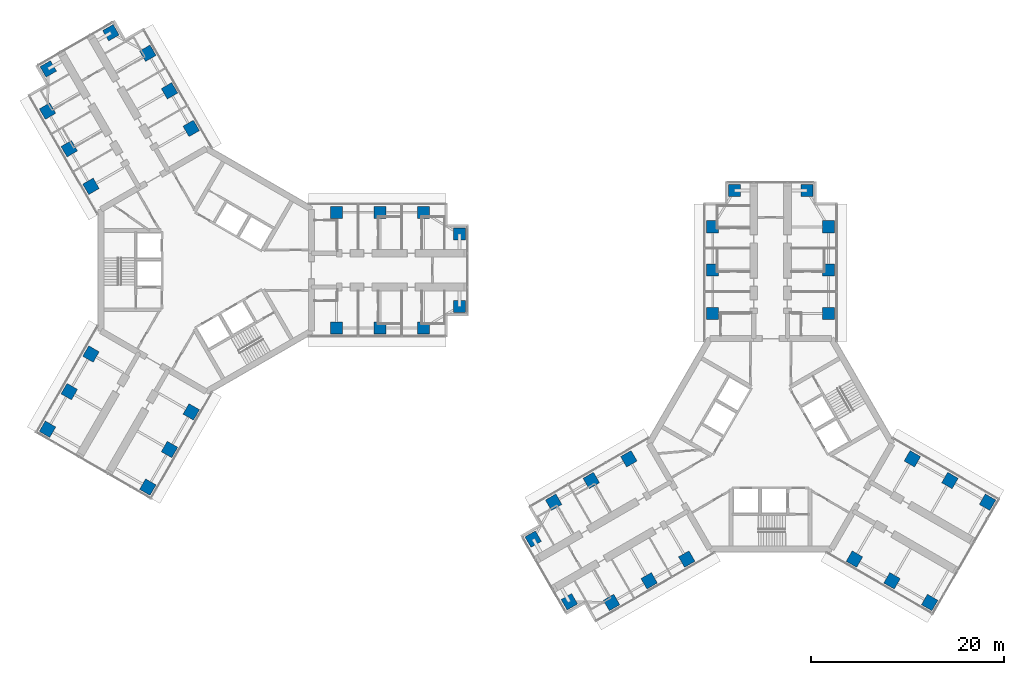
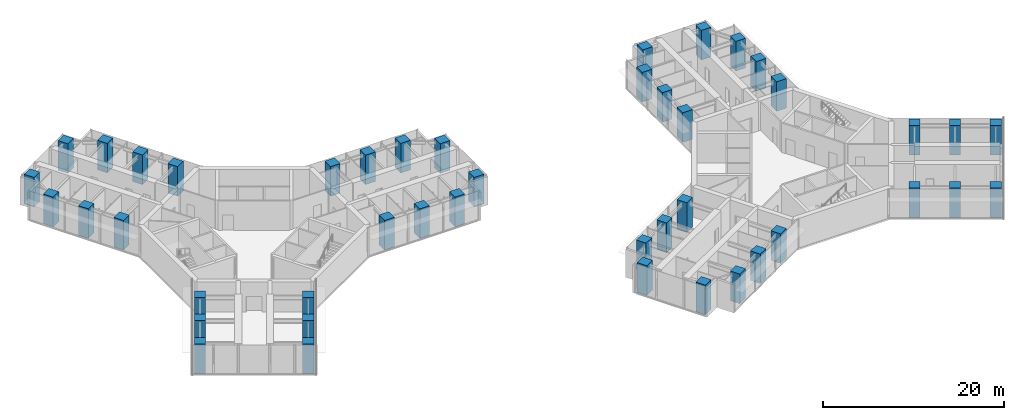
# One storey, part 1 of 23: 44 columns.
"""IFC4 building model written with IfcOpenShell, lengths in metres."""

from ifc_helpers import new_model, si_unit, direction, frame, origin, origin_2d, place, context, subcontext, project, spatial, rectangle, extrude, material, material_profile, profile_set, type_object, element, save


model = new_model("IFC4")

# Units and contexts
model_context = context("Model", 3, precision=1e-05, world=origin(), true_north=direction((0.0, 1.0)))
body_context = subcontext(model_context, "Body", "Model", "MODEL_VIEW")
ifc_project = project(units=[si_unit("LENGTHUNIT", "METRE"), si_unit("AREAUNIT", "SQUARE_METRE"), si_unit("VOLUMEUNIT", "CUBIC_METRE"), si_unit("PLANEANGLEUNIT", "RADIAN"), si_unit("MASSUNIT", "GRAM", prefix="KILO")], contexts=[model_context])

# Site, building, storey
site_placement = place(None, origin())
site = spatial("IfcSite", under=ifc_project, at=site_placement, CompositionType="ELEMENT")
building_placement = place(site_placement, origin())
building = spatial("IfcBuilding", under=site, at=building_placement, Name="Upepo Twin Towers", CompositionType="ELEMENT")
storey_placement = place(building_placement, frame((0.0, 0.0, 157.5)))
storey = spatial("IfcBuildingStorey", under=building, at=storey_placement, Name="L38", CompositionType="ELEMENT", Elevation=157.5)

# Columns
ifc_material = material(Name="Concrete C60/75", Category="concrete")
ifc_material_profile = material_profile(ifc_material, rectangle(XDim=1.25, YDim=1.25, at=origin_2d()), Name="RC 1250x1250")
ifc_profile_set = profile_set([ifc_material_profile], Name="Concrete C60/75")
column_type = type_object("IfcColumnType", Name="Tower column RC 1250x1250", PredefinedType="COLUMN", material=ifc_profile_set)
for number, where, z_axis, x_axis, name in (
    (1, (13.5, 6.0, 0.0), (0.0, 0.0, 1.0), (1.0, 0.0, 0.0), "T1 column AL135"),
    (2, (13.5, -6.0, 0.0), (0.0, 0.0, 1.0), (1.0, 0.0, 0.0), "T1 column AR135"),
    (3, (18.0, 6.0, 0.0), (0.0, 0.0, 1.0), (1.0, 0.0, 0.0), "T1 column AL180"),
    (4, (18.0, -6.0, 0.0), (0.0, 0.0, 1.0), (1.0, 0.0, 0.0), "T1 column AR180"),
    (5, (22.5, 6.0, 0.0), (0.0, 0.0, 1.0), (1.0, 0.0, 0.0), "T1 column AL225"),
    (6, (22.5, -6.0, 0.0), (0.0, 0.0, 1.0), (1.0, 0.0, 0.0), "T1 column AR225"),
    (7, (26.25, 3.75, 0.0), (0.0, 0.0, 1.0), (1.0, 0.0, 0.0), "T1 column ALN"),
    (8, (26.25, -3.75, 0.0), (0.0, 0.0, 1.0), (1.0, 0.0, 0.0), "T1 column ARN"),
    (9, (-11.946044921875, 8.69140625, 0.0), (0.0, 0.0, 1.0), (0.866025403784, 0.5, 0.0), "T1 column BL135"),
    (10, (-1.553955078125, 14.69140625, 0.0), (0.0, 0.0, 1.0), (0.866025403784, 0.5, 0.0), "T1 column BR135"),
    (11, (-14.196044921875, 12.58837890625, 0.0), (0.0, 0.0, 1.0), (0.866025403784, 0.5, 0.0), "T1 column BL180"),
    (12, (-3.803955078125, 18.58837890625, 0.0), (0.0, 0.0, 1.0), (0.866025403784, 0.5, 0.0), "T1 column BR180"),
    (13, (-16.446044921875, 16.485595703125, 0.0), (0.0, 0.0, 1.0), (0.866025403784, 0.5, 0.0), "T1 column BL225"),
    (14, (-6.053955078125, 22.485595703125, 0.0), (0.0, 0.0, 1.0), (0.866025403784, 0.5, 0.0), "T1 column BR225"),
    (15, (-16.37255859375, 20.858154296875, 0.0), (0.0, 0.0, 1.0), (0.866025403784, 0.5, 0.0), "T1 column BLN"),
    (16, (-9.87744140625, 24.608154296875, 0.0), (0.0, 0.0, 1.0), (0.866025403784, 0.5, 0.0), "T1 column BRN"),
    (17, (-1.553955078125, -14.69140625, 0.0), (0.0, 0.0, 1.0), (0.5, 0.866025403784, 0.0), "T1 column CL135"),
    (18, (-11.946044921875, -8.69140625, 0.0), (0.0, 0.0, 1.0), (0.5, 0.866025403784, 0.0), "T1 column CR135"),
    (19, (-3.803955078125, -18.58837890625, 0.0), (0.0, 0.0, 1.0), (0.5, 0.866025403784, 0.0), "T1 column CL180"),
    (20, (-14.196044921875, -12.58837890625, 0.0), (0.0, 0.0, 1.0), (0.5, 0.866025403784, 0.0), "T1 column CR180"),
    (21, (-6.053955078125, -22.485595703125, 0.0), (0.0, 0.0, 1.0), (0.5, 0.866025403784, 0.0), "T1 column CL225"),
    (22, (-16.446044921875, -16.485595703125, 0.0), (0.0, 0.0, 1.0), (0.5, 0.866025403784, 0.0), "T1 column CR225"),
    (23, (52.5, -4.5, 0.0), (0.0, 0.0, 1.0), (1.0, 0.0, 0.0), "T2 column AL135"),
    (24, (64.5, -4.5, 0.0), (0.0, 0.0, 1.0), (1.0, 0.0, 0.0), "T2 column AR135"),
    (25, (52.5, 0.0, 0.0), (0.0, 0.0, 1.0), (1.0, 0.0, 0.0), "T2 column AL180"),
    (26, (64.5, 0.0, 0.0), (0.0, 0.0, 1.0), (1.0, 0.0, 0.0), "T2 column AR180"),
    (27, (52.5, 4.5, 0.0), (0.0, 0.0, 1.0), (1.0, 0.0, 0.0), "T2 column AL225"),
    (28, (64.5, 4.5, 0.0), (0.0, 0.0, 1.0), (1.0, 0.0, 0.0), "T2 column AR225"),
    (29, (54.75, 8.25, 0.0), (0.0, 0.0, 1.0), (1.0, 0.0, 0.0), "T2 column ALN"),
    (30, (62.25, 8.25, 0.0), (0.0, 0.0, 1.0), (1.0, 0.0, 0.0), "T2 column ARN"),
    (31, (49.80859375, -29.946044921875, 0.0), (0.0, 0.0, 1.0), (0.866025403784, 0.5, 0.0), "T2 column BL135"),
    (32, (43.80859375, -19.553955078125, 0.0), (0.0, 0.0, 1.0), (0.866025403784, 0.5, 0.0), "T2 column BR135"),
    (33, (45.91162109375, -32.196044921875, 0.0), (0.0, 0.0, 1.0), (0.866025403784, 0.5, 0.0), "T2 column BL180"),
    (34, (39.91162109375, -21.803955078125, 0.0), (0.0, 0.0, 1.0), (0.866025403784, 0.5, 0.0), "T2 column BR180"),
    (35, (42.014404296875, -34.446044921875, 0.0), (0.0, 0.0, 1.0), (0.866025403784, 0.5, 0.0), "T2 column BL225"),
    (36, (36.014404296875, -24.053955078125, 0.0), (0.0, 0.0, 1.0), (0.866025403784, 0.5, 0.0), "T2 column BR225"),
    (37, (37.641845703125, -34.37255859375, 0.0), (0.0, 0.0, 1.0), (0.866025403784, 0.5, 0.0), "T2 column BLN"),
    (38, (33.891845703125, -27.87744140625, 0.0), (0.0, 0.0, 1.0), (0.866025403784, 0.5, 0.0), "T2 column BRN"),
    (39, (73.19140625, -19.553955078125, 0.0), (0.0, 0.0, 1.0), (0.5, 0.866025403784, 0.0), "T2 column CL135"),
    (40, (67.19140625, -29.946044921875, 0.0), (0.0, 0.0, 1.0), (0.5, 0.866025403784, 0.0), "T2 column CR135"),
    (41, (77.08837890625, -21.803955078125, 0.0), (0.0, 0.0, 1.0), (0.5, 0.866025403784, 0.0), "T2 column CL180"),
    (42, (71.08837890625, -32.196044921875, 0.0), (0.0, 0.0, 1.0), (0.5, 0.866025403784, 0.0), "T2 column CR180"),
    (43, (80.985595703125, -24.053955078125, 0.0), (0.0, 0.0, 1.0), (0.5, 0.866025403784, 0.0), "T2 column CL225"),
    (44, (74.985595703125, -34.446044921875, 0.0), (0.0, 0.0, 1.0), (0.5, 0.866025403784, 0.0), "T2 column CR225"),
):
    element("IfcColumn", number, at=place(storey_placement, frame(where, z_axis=z_axis, x_axis=x_axis)), inside=storey, type_object=column_type, Name=name, PredefinedType="COLUMN", context=body_context, shape_type="SweptSolid", body=[
        extrude(rectangle(XDim=1.25, YDim=1.25, at=origin_2d()), origin(), (0.0, 0.0, 1.0), 4.0),
    ])

save(model, "model.ifc")
